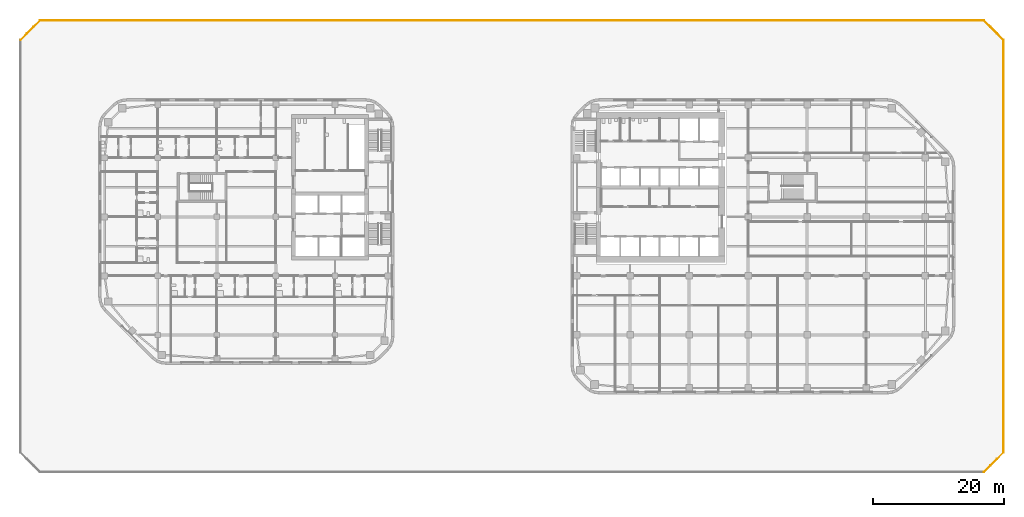
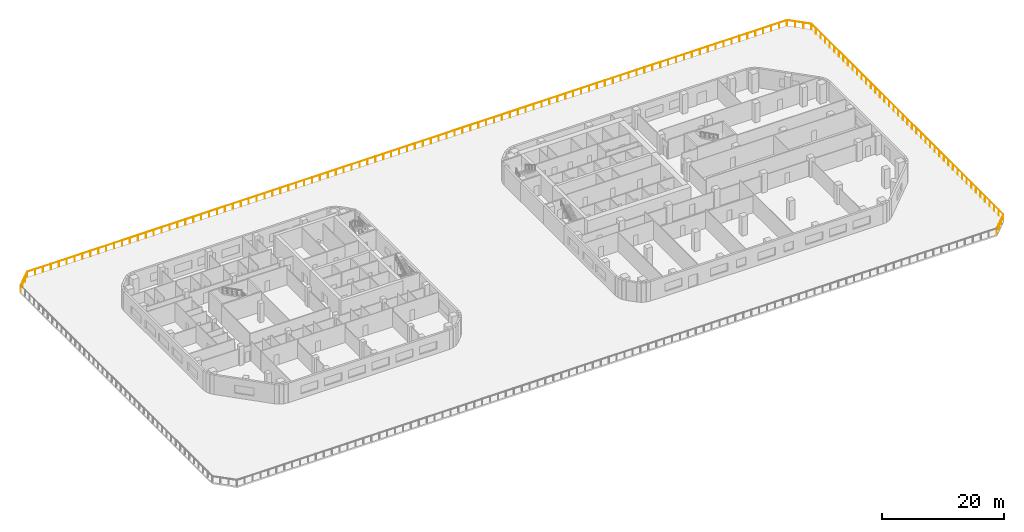
# One storey, part 17 of 18: 5 railings.
"""IFC4 building model written with IfcOpenShell, lengths in metres."""

import ifcopenshell
import ifcopenshell.guid

model = None  # the IFC model being written
_history = None  # IfcOwnerHistory: only IFC2X3 demands one
_inside = {}  # id of a spatial element -> (the spatial element, [elements in it])
_under = {}  # id of a project, library or spatial element -> (it, [spatial elements below it])
_declared = {}  # id of a project -> (the project, [libraries it declares])
_typed = {}  # id of a type object -> (the type object, [elements of that type])
_made_of = {}  # id of a material, layer set ... -> (it, [elements and type objects made of it])


def new_model(schema):
    """Start an empty IFC model of exactly this schema.

    Asked for "IFC4X3", IfcOpenShell would pick the latest addendum, in which some entities
    have other attributes; the version numbers below select the first issue.
    IFC2X3 requires an IfcOwnerHistory on every rooted entity: one is made here for all.
    """
    global model, _history
    if schema == "IFC4X3":
        model = ifcopenshell.file(schema_version=(4, 3, 0, 0))
    else:
        model = ifcopenshell.file(schema=schema)
    _inside.clear()
    _under.clear()
    _declared.clear()
    _typed.clear()
    _made_of.clear()
    _history = None
    if model.schema == "IFC2X3":
        org = make("IfcOrganization", Name="unknown")
        user = make(
            "IfcPersonAndOrganization",
            ThePerson=make("IfcPerson", FamilyName="unknown"),
            TheOrganization=org,
        )
        app = make(
            "IfcApplication",
            ApplicationDeveloper=org,
            Version="unknown",
            ApplicationFullName="unknown",
            ApplicationIdentifier="unknown",
        )
        _history = make(
            "IfcOwnerHistory",
            OwningUser=user,
            OwningApplication=app,
            ChangeAction="ADDED",
            CreationDate=0,
        )
    return model


def make(cls, **values):
    """One entity of the class cls with the attributes given. An attribute that is None is left unset."""
    return model.create_entity(
        cls, **{name: value for name, value in values.items() if value is not None}
    )


def rooted(cls, **values):
    """An entity with a GlobalId (a new one), such as an element, a storey or a relation."""
    return make(cls, GlobalId=ifcopenshell.guid.new(), OwnerHistory=_history, **values)


def si_unit(unit_type, name, prefix=None):
    """IfcSIUnit, for example si_unit("LENGTHUNIT", "METRE", prefix="MILLI")."""
    return make("IfcSIUnit", UnitType=unit_type, Prefix=prefix, Name=name)


def assignment(units):
    """IfcUnitAssignment: the units of a project."""
    return None if units is None else make("IfcUnitAssignment", Units=units)


def point(xyz):
    """IfcCartesianPoint."""
    return None if xyz is None else make("IfcCartesianPoint", Coordinates=xyz)


def direction(xyz):
    """IfcDirection."""
    return None if xyz is None else make("IfcDirection", DirectionRatios=xyz)


def frame(location, z_axis=None, x_axis=None):
    """IfcAxis2Placement3D, a coordinate frame: its origin and axes. An axis left out is left unset."""
    return make(
        "IfcAxis2Placement3D",
        Location=point(location),
        Axis=direction(z_axis),
        RefDirection=direction(x_axis),
    )


def frame_2d(location, x_axis=None):
    """IfcAxis2Placement2D, a coordinate frame in the plane: its origin and x axis."""
    return make(
        "IfcAxis2Placement2D", Location=point(location), RefDirection=direction(x_axis)
    )


def origin():
    """The frame at (0, 0, 0) with its axes left unset."""
    return frame((0.0, 0.0, 0.0))


def origin_2d():
    """The frame at (0, 0) in the plane with its x axis left unset."""
    return frame_2d((0.0, 0.0))


def place(relative_to, where):
    """IfcLocalPlacement: puts the frame where relative to a parent placement (None: the world)."""
    return make(
        "IfcLocalPlacement", PlacementRelTo=relative_to, RelativePlacement=where
    )


def context(
    kind, dimensions, precision=None, world=None, true_north=None, identifier=None
):
    """IfcGeometricRepresentationContext, for example the 3D "Model" context."""
    return make(
        "IfcGeometricRepresentationContext",
        ContextIdentifier=identifier,
        ContextType=kind,
        CoordinateSpaceDimension=dimensions,
        Precision=precision,
        WorldCoordinateSystem=world,
        TrueNorth=true_north,
    )


def subcontext(parent, identifier, kind, view, scale=None):
    """IfcGeometricRepresentationSubContext, for example "Body" below "Model"."""
    return make(
        "IfcGeometricRepresentationSubContext",
        ContextIdentifier=identifier,
        ContextType=kind,
        ParentContext=parent,
        TargetScale=scale,
        TargetView=view,
    )


def project(units=None, contexts=None):
    """IfcProject with its units and contexts."""
    return rooted(
        "IfcProject",
        Name="project",
        RepresentationContexts=contexts,
        UnitsInContext=assignment(units),
    )


def spatial(cls, under=None, at=None, **own):
    """A site, building, storey or space (cls), placed at a placement, below another one or the project."""
    s = rooted(cls, ObjectPlacement=at, **own)
    if under is not None:
        _under.setdefault(under.id(), (under, []))[1].append(s)
    return s


def profile(cls, at=None, kind="AREA", **sizes):
    """A parametric profile (cls). Its sizes go by their IFC names, for example OverallWidth=200.0."""
    return make(cls, ProfileType=kind, Position=at, **sizes)


def circle(**sizes):
    """IfcCircleProfileDef."""
    return profile("IfcCircleProfileDef", **sizes)


def extrude(swept, where, along, depth):
    """IfcExtrudedAreaSolid: the profile swept, set in the frame where, extruded along a direction by depth."""
    return make(
        "IfcExtrudedAreaSolid",
        SweptArea=swept,
        Position=where,
        ExtrudedDirection=direction(along),
        Depth=depth,
    )


def shape(context_of_items, identifier, shape_type, items):
    """IfcShapeRepresentation: the items that make up one representation, for example the "Body"."""
    return make(
        "IfcShapeRepresentation",
        ContextOfItems=context_of_items,
        RepresentationIdentifier=identifier,
        RepresentationType=shape_type,
        Items=items,
    )


def material(Name=None, Category=None):
    """IfcMaterial."""
    return make("IfcMaterial", Name=Name, Category=Category)


def made_of(thing, what):
    """Note that an element or type object is made of a material, layer set ...; save() writes the relation."""
    if what is not None:
        _made_of.setdefault(what.id(), (what, []))[1].append(thing)
    return thing


def type_object(cls, material=None, **own):
    """A type object (cls), such as IfcWallType, which elements share."""
    return made_of(rooted(cls, **own), material)


def element(
    cls,
    number,
    at=None,
    inside=None,
    cuts=None,
    type_object=None,
    material=None,
    context=None,
    identifier="Body",
    shape_type=None,
    held_by="IfcProductDefinitionShape",
    body=None,
    shapes=None,
    **own,
):
    """One element of the class cls, such as IfcWall. Its Tag is "e" and its number.

    at: its placement. inside: the storey or other place that contains it. cuts: it is an
    opening in that element (IfcRelVoidsElement). A single representation is given by context,
    identifier, shape_type and body (its items); several are given by shapes. held_by: the class
    of the entity that holds the representations. save() writes the other relations.
    """
    e = rooted(cls, Tag="e%d" % number, ObjectPlacement=at, **own)
    if body is not None:
        shapes = [shape(context, identifier, shape_type, body)]
    if shapes is not None:
        e.Representation = make(held_by, Representations=shapes)
    if inside is not None:
        _inside.setdefault(inside.id(), (inside, []))[1].append(e)
    if cuts is not None:
        rooted(
            "IfcRelVoidsElement", RelatingBuildingElement=cuts, RelatedOpeningElement=e
        )
    if type_object is not None:
        _typed.setdefault(type_object.id(), (type_object, []))[1].append(e)
    return made_of(e, material)


def aggregate(whole, parts):
    """IfcRelAggregates: a whole, such as a stair, and the parts it consists of."""
    return rooted("IfcRelAggregates", RelatingObject=whole, RelatedObjects=parts)


def save(model, path):
    """Write the relations noted so far, then the file.

    IfcRelAggregates (storeys below a building ...), IfcRelContainedInSpatialStructure (elements
    in a storey), IfcRelDefinesByType, IfcRelAssociatesMaterial and IfcRelDeclares: one each for
    every whole, place, type object, material and project.
    """
    for whole, parts in _under.values():
        aggregate(whole, parts)
    for where, things in _inside.values():
        rooted(
            "IfcRelContainedInSpatialStructure",
            RelatedElements=things,
            RelatingStructure=where,
        )
    for kind, things in _typed.values():
        rooted("IfcRelDefinesByType", RelatedObjects=things, RelatingType=kind)
    for what, things in _made_of.values():
        rooted("IfcRelAssociatesMaterial", RelatedObjects=things, RelatingMaterial=what)
    for by, libraries in _declared.values():
        rooted("IfcRelDeclares", RelatingContext=by, RelatedDefinitions=libraries)
    model.write(path)


model = new_model("IFC4")

# Units and contexts
model_context = context("Model", 3, precision=1e-05, world=origin(), true_north=direction((0.0, 1.0)))
body_context = subcontext(model_context, "Body", "Model", "MODEL_VIEW")
ifc_project = project(units=[si_unit("LENGTHUNIT", "METRE"), si_unit("AREAUNIT", "SQUARE_METRE"), si_unit("VOLUMEUNIT", "CUBIC_METRE"), si_unit("PLANEANGLEUNIT", "RADIAN"), si_unit("MASSUNIT", "GRAM", prefix="KILO")], contexts=[model_context])

# Site, building, storey
site_placement = place(None, origin())
site = spatial("IfcSite", under=ifc_project, at=site_placement, CompositionType="ELEMENT")
building_placement = place(site_placement, origin())
building = spatial("IfcBuilding", under=site, at=building_placement, Name="Cinnabar Reach Civic Tower", CompositionType="ELEMENT")
storey_placement = place(building_placement, frame((0.0, 0.0, 26.0)))
storey = spatial("IfcBuildingStorey", under=building, at=storey_placement, Name="L05", CompositionType="ELEMENT", Elevation=26.0)

# Railings
ifc_material = material(Name="Stainless steel", Category="steel")
railing_type = type_object("IfcRailingType", Name="Facade terrace guard 1200", PredefinedType="GUARDRAIL", material=ifc_material)
railing_1_placement = place(storey_placement, frame((-83.9, 53.9586, 0.0)))
element("IfcRailing", 1, at=railing_1_placement, inside=storey, type_object=railing_type, Name="Terrace guard", PredefinedType="GUARDRAIL", context=body_context, shape_type="SweptSolid", body=[
    extrude(circle(Radius=0.024, at=origin_2d()), frame((0.0, 0.0, 1.176), z_axis=(0.707106781187, 0.707106781187, 0.0), x_axis=(-0.707106781187, 0.707106781187, 0.0)), (0.0, 0.0, 1.0), 4.1598),
    extrude(circle(Radius=0.021, at=origin_2d()), origin(), (0.0, 0.0, 1.0), 1.152),
    extrude(circle(Radius=0.021, at=origin_2d()), frame((0.9805, 0.9805, 0.0)), (0.0, 0.0, 1.0), 1.152),
    extrude(circle(Radius=0.021, at=origin_2d()), frame((1.9609, 1.9609, 0.0)), (0.0, 0.0, 1.0), 1.152),
    extrude(circle(Radius=0.021, at=origin_2d()), frame((2.9414, 2.9414, 0.0)), (0.0, 0.0, 1.0), 1.152),
])
railing_2_placement = place(storey_placement, frame((-80.9586, 56.9, 0.0)))
element("IfcRailing", 2, at=railing_2_placement, inside=storey, type_object=railing_type, Name="Terrace guard", PredefinedType="GUARDRAIL", context=body_context, shape_type="SweptSolid", body=[
    extrude(circle(Radius=0.024, at=origin_2d()), frame((0.0, 0.0, 1.176), z_axis=(1.0, 0.0, 0.0), x_axis=(0.0, 1.0, 0.0)), (0.0, 0.0, 1.0), 143.9172),
    extrude(circle(Radius=0.021, at=origin_2d()), origin(), (0.0, 0.0, 1.0), 1.152),
    extrude(circle(Radius=0.021, at=origin_2d()), frame((1.4991, 0.0, 0.0)), (0.0, 0.0, 1.0), 1.152),
    extrude(circle(Radius=0.021, at=origin_2d()), frame((2.9983, 0.0, 0.0)), (0.0, 0.0, 1.0), 1.152),
    extrude(circle(Radius=0.021, at=origin_2d()), frame((4.4974, 0.0, 0.0)), (0.0, 0.0, 1.0), 1.152),
    extrude(circle(Radius=0.021, at=origin_2d()), frame((5.9966, 0.0, 0.0)), (0.0, 0.0, 1.0), 1.152),
    extrude(circle(Radius=0.021, at=origin_2d()), frame((7.4957, 0.0, 0.0)), (0.0, 0.0, 1.0), 1.152),
    extrude(circle(Radius=0.021, at=origin_2d()), frame((8.9948, 0.0, 0.0)), (0.0, 0.0, 1.0), 1.152),
    extrude(circle(Radius=0.021, at=origin_2d()), frame((10.494, 0.0, 0.0)), (0.0, 0.0, 1.0), 1.152),
    extrude(circle(Radius=0.021, at=origin_2d()), frame((11.9931, 0.0, 0.0)), (0.0, 0.0, 1.0), 1.152),
    extrude(circle(Radius=0.021, at=origin_2d()), frame((13.4922, 0.0, 0.0)), (0.0, 0.0, 1.0), 1.152),
    extrude(circle(Radius=0.021, at=origin_2d()), frame((14.9914, 0.0, 0.0)), (0.0, 0.0, 1.0), 1.152),
    extrude(circle(Radius=0.021, at=origin_2d()), frame((16.4905, 0.0, 0.0)), (0.0, 0.0, 1.0), 1.152),
    extrude(circle(Radius=0.021, at=origin_2d()), frame((17.9897, 0.0, 0.0)), (0.0, 0.0, 1.0), 1.152),
    extrude(circle(Radius=0.021, at=origin_2d()), frame((19.4888, 0.0, 0.0)), (0.0, 0.0, 1.0), 1.152),
    extrude(circle(Radius=0.021, at=origin_2d()), frame((20.9879, 0.0, 0.0)), (0.0, 0.0, 1.0), 1.152),
    extrude(circle(Radius=0.021, at=origin_2d()), frame((22.4871, 0.0, 0.0)), (0.0, 0.0, 1.0), 1.152),
    extrude(circle(Radius=0.021, at=origin_2d()), frame((23.9862, 0.0, 0.0)), (0.0, 0.0, 1.0), 1.152),
    extrude(circle(Radius=0.021, at=origin_2d()), frame((25.4853, 0.0, 0.0)), (0.0, 0.0, 1.0), 1.152),
    extrude(circle(Radius=0.021, at=origin_2d()), frame((26.9845, 0.0, 0.0)), (0.0, 0.0, 1.0), 1.152),
    extrude(circle(Radius=0.021, at=origin_2d()), frame((28.4836, 0.0, 0.0)), (0.0, 0.0, 1.0), 1.152),
    extrude(circle(Radius=0.021, at=origin_2d()), frame((29.9828, 0.0, 0.0)), (0.0, 0.0, 1.0), 1.152),
    extrude(circle(Radius=0.021, at=origin_2d()), frame((31.4819, 0.0, 0.0)), (0.0, 0.0, 1.0), 1.152),
    extrude(circle(Radius=0.021, at=origin_2d()), frame((32.981, 0.0, 0.0)), (0.0, 0.0, 1.0), 1.152),
    extrude(circle(Radius=0.021, at=origin_2d()), frame((34.4802, 0.0, 0.0)), (0.0, 0.0, 1.0), 1.152),
    extrude(circle(Radius=0.021, at=origin_2d()), frame((35.9793, 0.0, 0.0)), (0.0, 0.0, 1.0), 1.152),
    extrude(circle(Radius=0.021, at=origin_2d()), frame((37.4784, 0.0, 0.0)), (0.0, 0.0, 1.0), 1.152),
    extrude(circle(Radius=0.021, at=origin_2d()), frame((38.9776, 0.0, 0.0)), (0.0, 0.0, 1.0), 1.152),
    extrude(circle(Radius=0.021, at=origin_2d()), frame((40.4767, 0.0, 0.0)), (0.0, 0.0, 1.0), 1.152),
    extrude(circle(Radius=0.021, at=origin_2d()), frame((41.9759, 0.0, 0.0)), (0.0, 0.0, 1.0), 1.152),
    extrude(circle(Radius=0.021, at=origin_2d()), frame((43.475, 0.0, 0.0)), (0.0, 0.0, 1.0), 1.152),
    extrude(circle(Radius=0.021, at=origin_2d()), frame((44.9741, 0.0, 0.0)), (0.0, 0.0, 1.0), 1.152),
    extrude(circle(Radius=0.021, at=origin_2d()), frame((46.4733, 0.0, 0.0)), (0.0, 0.0, 1.0), 1.152),
    extrude(circle(Radius=0.021, at=origin_2d()), frame((47.9724, 0.0, 0.0)), (0.0, 0.0, 1.0), 1.152),
    extrude(circle(Radius=0.021, at=origin_2d()), frame((49.4715, 0.0, 0.0)), (0.0, 0.0, 1.0), 1.152),
    extrude(circle(Radius=0.021, at=origin_2d()), frame((50.9707, 0.0, 0.0)), (0.0, 0.0, 1.0), 1.152),
    extrude(circle(Radius=0.021, at=origin_2d()), frame((52.4698, 0.0, 0.0)), (0.0, 0.0, 1.0), 1.152),
    extrude(circle(Radius=0.021, at=origin_2d()), frame((53.969, 0.0, 0.0)), (0.0, 0.0, 1.0), 1.152),
    extrude(circle(Radius=0.021, at=origin_2d()), frame((55.4681, 0.0, 0.0)), (0.0, 0.0, 1.0), 1.152),
    extrude(circle(Radius=0.021, at=origin_2d()), frame((56.9672, 0.0, 0.0)), (0.0, 0.0, 1.0), 1.152),
    extrude(circle(Radius=0.021, at=origin_2d()), frame((58.4664, 0.0, 0.0)), (0.0, 0.0, 1.0), 1.152),
    extrude(circle(Radius=0.021, at=origin_2d()), frame((59.9655, 0.0, 0.0)), (0.0, 0.0, 1.0), 1.152),
    extrude(circle(Radius=0.021, at=origin_2d()), frame((61.4646, 0.0, 0.0)), (0.0, 0.0, 1.0), 1.152),
    extrude(circle(Radius=0.021, at=origin_2d()), frame((62.9638, 0.0, 0.0)), (0.0, 0.0, 1.0), 1.152),
    extrude(circle(Radius=0.021, at=origin_2d()), frame((64.4629, 0.0, 0.0)), (0.0, 0.0, 1.0), 1.152),
    extrude(circle(Radius=0.021, at=origin_2d()), frame((65.9621, 0.0, 0.0)), (0.0, 0.0, 1.0), 1.152),
    extrude(circle(Radius=0.021, at=origin_2d()), frame((67.4612, 0.0, 0.0)), (0.0, 0.0, 1.0), 1.152),
    extrude(circle(Radius=0.021, at=origin_2d()), frame((68.9603, 0.0, 0.0)), (0.0, 0.0, 1.0), 1.152),
    extrude(circle(Radius=0.021, at=origin_2d()), frame((70.4595, 0.0, 0.0)), (0.0, 0.0, 1.0), 1.152),
    extrude(circle(Radius=0.021, at=origin_2d()), frame((71.9586, 0.0, 0.0)), (0.0, 0.0, 1.0), 1.152),
    extrude(circle(Radius=0.021, at=origin_2d()), frame((73.4577, 0.0, 0.0)), (0.0, 0.0, 1.0), 1.152),
    extrude(circle(Radius=0.021, at=origin_2d()), frame((74.9569, 0.0, 0.0)), (0.0, 0.0, 1.0), 1.152),
    extrude(circle(Radius=0.021, at=origin_2d()), frame((76.456, 0.0, 0.0)), (0.0, 0.0, 1.0), 1.152),
    extrude(circle(Radius=0.021, at=origin_2d()), frame((77.9552, 0.0, 0.0)), (0.0, 0.0, 1.0), 1.152),
    extrude(circle(Radius=0.021, at=origin_2d()), frame((79.4543, 0.0, 0.0)), (0.0, 0.0, 1.0), 1.152),
    extrude(circle(Radius=0.021, at=origin_2d()), frame((80.9534, 0.0, 0.0)), (0.0, 0.0, 1.0), 1.152),
    extrude(circle(Radius=0.021, at=origin_2d()), frame((82.4526, 0.0, 0.0)), (0.0, 0.0, 1.0), 1.152),
    extrude(circle(Radius=0.021, at=origin_2d()), frame((83.9517, 0.0, 0.0)), (0.0, 0.0, 1.0), 1.152),
    extrude(circle(Radius=0.021, at=origin_2d()), frame((85.4508, 0.0, 0.0)), (0.0, 0.0, 1.0), 1.152),
    extrude(circle(Radius=0.021, at=origin_2d()), frame((86.95, 0.0, 0.0)), (0.0, 0.0, 1.0), 1.152),
    extrude(circle(Radius=0.021, at=origin_2d()), frame((88.4491, 0.0, 0.0)), (0.0, 0.0, 1.0), 1.152),
    extrude(circle(Radius=0.021, at=origin_2d()), frame((89.9483, 0.0, 0.0)), (0.0, 0.0, 1.0), 1.152),
    extrude(circle(Radius=0.021, at=origin_2d()), frame((91.4474, 0.0, 0.0)), (0.0, 0.0, 1.0), 1.152),
    extrude(circle(Radius=0.021, at=origin_2d()), frame((92.9465, 0.0, 0.0)), (0.0, 0.0, 1.0), 1.152),
    extrude(circle(Radius=0.021, at=origin_2d()), frame((94.4457, 0.0, 0.0)), (0.0, 0.0, 1.0), 1.152),
    extrude(circle(Radius=0.021, at=origin_2d()), frame((95.9448, 0.0, 0.0)), (0.0, 0.0, 1.0), 1.152),
    extrude(circle(Radius=0.021, at=origin_2d()), frame((97.4439, 0.0, 0.0)), (0.0, 0.0, 1.0), 1.152),
    extrude(circle(Radius=0.021, at=origin_2d()), frame((98.9431, 0.0, 0.0)), (0.0, 0.0, 1.0), 1.152),
    extrude(circle(Radius=0.021, at=origin_2d()), frame((100.4422, 0.0, 0.0)), (0.0, 0.0, 1.0), 1.152),
    extrude(circle(Radius=0.021, at=origin_2d()), frame((101.9414, 0.0, 0.0)), (0.0, 0.0, 1.0), 1.152),
    extrude(circle(Radius=0.021, at=origin_2d()), frame((103.4405, 0.0, 0.0)), (0.0, 0.0, 1.0), 1.152),
    extrude(circle(Radius=0.021, at=origin_2d()), frame((104.9396, 0.0, 0.0)), (0.0, 0.0, 1.0), 1.152),
    extrude(circle(Radius=0.021, at=origin_2d()), frame((106.4388, 0.0, 0.0)), (0.0, 0.0, 1.0), 1.152),
    extrude(circle(Radius=0.021, at=origin_2d()), frame((107.9379, 0.0, 0.0)), (0.0, 0.0, 1.0), 1.152),
    extrude(circle(Radius=0.021, at=origin_2d()), frame((109.437, 0.0, 0.0)), (0.0, 0.0, 1.0), 1.152),
    extrude(circle(Radius=0.021, at=origin_2d()), frame((110.9362, 0.0, 0.0)), (0.0, 0.0, 1.0), 1.152),
    extrude(circle(Radius=0.021, at=origin_2d()), frame((112.4353, 0.0, 0.0)), (0.0, 0.0, 1.0), 1.152),
    extrude(circle(Radius=0.021, at=origin_2d()), frame((113.9344, 0.0, 0.0)), (0.0, 0.0, 1.0), 1.152),
    extrude(circle(Radius=0.021, at=origin_2d()), frame((115.4336, 0.0, 0.0)), (0.0, 0.0, 1.0), 1.152),
    extrude(circle(Radius=0.021, at=origin_2d()), frame((116.9327, 0.0, 0.0)), (0.0, 0.0, 1.0), 1.152),
    extrude(circle(Radius=0.021, at=origin_2d()), frame((118.4319, 0.0, 0.0)), (0.0, 0.0, 1.0), 1.152),
    extrude(circle(Radius=0.021, at=origin_2d()), frame((119.931, 0.0, 0.0)), (0.0, 0.0, 1.0), 1.152),
    extrude(circle(Radius=0.021, at=origin_2d()), frame((121.4301, 0.0, 0.0)), (0.0, 0.0, 1.0), 1.152),
    extrude(circle(Radius=0.021, at=origin_2d()), frame((122.9293, 0.0, 0.0)), (0.0, 0.0, 1.0), 1.152),
    extrude(circle(Radius=0.021, at=origin_2d()), frame((124.4284, 0.0, 0.0)), (0.0, 0.0, 1.0), 1.152),
    extrude(circle(Radius=0.021, at=origin_2d()), frame((125.9276, 0.0, 0.0)), (0.0, 0.0, 1.0), 1.152),
    extrude(circle(Radius=0.021, at=origin_2d()), frame((127.4267, 0.0, 0.0)), (0.0, 0.0, 1.0), 1.152),
    extrude(circle(Radius=0.021, at=origin_2d()), frame((128.9258, 0.0, 0.0)), (0.0, 0.0, 1.0), 1.152),
    extrude(circle(Radius=0.021, at=origin_2d()), frame((130.425, 0.0, 0.0)), (0.0, 0.0, 1.0), 1.152),
    extrude(circle(Radius=0.021, at=origin_2d()), frame((131.9241, 0.0, 0.0)), (0.0, 0.0, 1.0), 1.152),
    extrude(circle(Radius=0.021, at=origin_2d()), frame((133.4232, 0.0, 0.0)), (0.0, 0.0, 1.0), 1.152),
    extrude(circle(Radius=0.021, at=origin_2d()), frame((134.9224, 0.0, 0.0)), (0.0, 0.0, 1.0), 1.152),
    extrude(circle(Radius=0.021, at=origin_2d()), frame((136.4215, 0.0, 0.0)), (0.0, 0.0, 1.0), 1.152),
    extrude(circle(Radius=0.021, at=origin_2d()), frame((137.9207, 0.0, 0.0)), (0.0, 0.0, 1.0), 1.152),
    extrude(circle(Radius=0.021, at=origin_2d()), frame((139.4198, 0.0, 0.0)), (0.0, 0.0, 1.0), 1.152),
    extrude(circle(Radius=0.021, at=origin_2d()), frame((140.9189, 0.0, 0.0)), (0.0, 0.0, 1.0), 1.152),
    extrude(circle(Radius=0.021, at=origin_2d()), frame((142.4181, 0.0, 0.0)), (0.0, 0.0, 1.0), 1.152),
    extrude(circle(Radius=0.021, at=origin_2d()), frame((143.9172, 0.0, 0.0)), (0.0, 0.0, 1.0), 1.152),
])
railing_3_placement = place(storey_placement, frame((62.9586, 56.9, 0.0)))
element("IfcRailing", 3, at=railing_3_placement, inside=storey, type_object=railing_type, Name="Terrace guard", PredefinedType="GUARDRAIL", context=body_context, shape_type="SweptSolid", body=[
    extrude(circle(Radius=0.024, at=origin_2d()), frame((0.0, 0.0, 1.176), z_axis=(0.707106781187, -0.707106781187, 0.0), x_axis=(0.707106781187, 0.707106781187, 0.0)), (0.0, 0.0, 1.0), 4.1598),
    extrude(circle(Radius=0.021, at=origin_2d()), origin(), (0.0, 0.0, 1.0), 1.152),
    extrude(circle(Radius=0.021, at=origin_2d()), frame((0.9805, -0.9805, 0.0)), (0.0, 0.0, 1.0), 1.152),
    extrude(circle(Radius=0.021, at=origin_2d()), frame((1.9609, -1.9609, 0.0)), (0.0, 0.0, 1.0), 1.152),
    extrude(circle(Radius=0.021, at=origin_2d()), frame((2.9414, -2.9414, 0.0)), (0.0, 0.0, 1.0), 1.152),
])
railing_4_placement = place(storey_placement, frame((65.9, 53.9586, 0.0)))
element("IfcRailing", 4, at=railing_4_placement, inside=storey, type_object=railing_type, Name="Terrace guard", PredefinedType="GUARDRAIL", context=body_context, shape_type="SweptSolid", body=[
    extrude(circle(Radius=0.024, at=origin_2d()), frame((0.0, 0.0, 1.176), z_axis=(0.0, -1.0, 0.0), x_axis=(1.0, 0.0, 0.0)), (0.0, 0.0, 1.0), 62.9172),
    extrude(circle(Radius=0.021, at=origin_2d()), origin(), (0.0, 0.0, 1.0), 1.152),
    extrude(circle(Radius=0.021, at=origin_2d()), frame((0.0, -1.498, 0.0)), (0.0, 0.0, 1.0), 1.152),
    extrude(circle(Radius=0.021, at=origin_2d()), frame((0.0, -2.9961, 0.0)), (0.0, 0.0, 1.0), 1.152),
    extrude(circle(Radius=0.021, at=origin_2d()), frame((0.0, -4.4941, 0.0)), (0.0, 0.0, 1.0), 1.152),
    extrude(circle(Radius=0.021, at=origin_2d()), frame((0.0, -5.9921, 0.0)), (0.0, 0.0, 1.0), 1.152),
    extrude(circle(Radius=0.021, at=origin_2d()), frame((0.0, -7.4901, 0.0)), (0.0, 0.0, 1.0), 1.152),
    extrude(circle(Radius=0.021, at=origin_2d()), frame((0.0, -8.9882, 0.0)), (0.0, 0.0, 1.0), 1.152),
    extrude(circle(Radius=0.021, at=origin_2d()), frame((0.0, -10.4862, 0.0)), (0.0, 0.0, 1.0), 1.152),
    extrude(circle(Radius=0.021, at=origin_2d()), frame((0.0, -11.9842, 0.0)), (0.0, 0.0, 1.0), 1.152),
    extrude(circle(Radius=0.021, at=origin_2d()), frame((0.0, -13.4823, 0.0)), (0.0, 0.0, 1.0), 1.152),
    extrude(circle(Radius=0.021, at=origin_2d()), frame((0.0, -14.9803, 0.0)), (0.0, 0.0, 1.0), 1.152),
    extrude(circle(Radius=0.021, at=origin_2d()), frame((0.0, -16.4783, 0.0)), (0.0, 0.0, 1.0), 1.152),
    extrude(circle(Radius=0.021, at=origin_2d()), frame((0.0, -17.9763, 0.0)), (0.0, 0.0, 1.0), 1.152),
    extrude(circle(Radius=0.021, at=origin_2d()), frame((0.0, -19.4744, 0.0)), (0.0, 0.0, 1.0), 1.152),
    extrude(circle(Radius=0.021, at=origin_2d()), frame((0.0, -20.9724, 0.0)), (0.0, 0.0, 1.0), 1.152),
    extrude(circle(Radius=0.021, at=origin_2d()), frame((0.0, -22.4704, 0.0)), (0.0, 0.0, 1.0), 1.152),
    extrude(circle(Radius=0.021, at=origin_2d()), frame((0.0, -23.9685, 0.0)), (0.0, 0.0, 1.0), 1.152),
    extrude(circle(Radius=0.021, at=origin_2d()), frame((0.0, -25.4665, 0.0)), (0.0, 0.0, 1.0), 1.152),
    extrude(circle(Radius=0.021, at=origin_2d()), frame((0.0, -26.9645, 0.0)), (0.0, 0.0, 1.0), 1.152),
    extrude(circle(Radius=0.021, at=origin_2d()), frame((0.0, -28.4625, 0.0)), (0.0, 0.0, 1.0), 1.152),
    extrude(circle(Radius=0.021, at=origin_2d()), frame((0.0, -29.9606, 0.0)), (0.0, 0.0, 1.0), 1.152),
    extrude(circle(Radius=0.021, at=origin_2d()), frame((0.0, -31.4586, 0.0)), (0.0, 0.0, 1.0), 1.152),
    extrude(circle(Radius=0.021, at=origin_2d()), frame((0.0, -32.9566, 0.0)), (0.0, 0.0, 1.0), 1.152),
    extrude(circle(Radius=0.021, at=origin_2d()), frame((0.0, -34.4547, 0.0)), (0.0, 0.0, 1.0), 1.152),
    extrude(circle(Radius=0.021, at=origin_2d()), frame((0.0, -35.9527, 0.0)), (0.0, 0.0, 1.0), 1.152),
    extrude(circle(Radius=0.021, at=origin_2d()), frame((0.0, -37.4507, 0.0)), (0.0, 0.0, 1.0), 1.152),
    extrude(circle(Radius=0.021, at=origin_2d()), frame((0.0, -38.9487, 0.0)), (0.0, 0.0, 1.0), 1.152),
    extrude(circle(Radius=0.021, at=origin_2d()), frame((0.0, -40.4468, 0.0)), (0.0, 0.0, 1.0), 1.152),
    extrude(circle(Radius=0.021, at=origin_2d()), frame((0.0, -41.9448, 0.0)), (0.0, 0.0, 1.0), 1.152),
    extrude(circle(Radius=0.021, at=origin_2d()), frame((0.0, -43.4428, 0.0)), (0.0, 0.0, 1.0), 1.152),
    extrude(circle(Radius=0.021, at=origin_2d()), frame((0.0, -44.9409, 0.0)), (0.0, 0.0, 1.0), 1.152),
    extrude(circle(Radius=0.021, at=origin_2d()), frame((0.0, -46.4389, 0.0)), (0.0, 0.0, 1.0), 1.152),
    extrude(circle(Radius=0.021, at=origin_2d()), frame((0.0, -47.9369, 0.0)), (0.0, 0.0, 1.0), 1.152),
    extrude(circle(Radius=0.021, at=origin_2d()), frame((0.0, -49.4349, 0.0)), (0.0, 0.0, 1.0), 1.152),
    extrude(circle(Radius=0.021, at=origin_2d()), frame((0.0, -50.933, 0.0)), (0.0, 0.0, 1.0), 1.152),
    extrude(circle(Radius=0.021, at=origin_2d()), frame((0.0, -52.431, 0.0)), (0.0, 0.0, 1.0), 1.152),
    extrude(circle(Radius=0.021, at=origin_2d()), frame((0.0, -53.929, 0.0)), (0.0, 0.0, 1.0), 1.152),
    extrude(circle(Radius=0.021, at=origin_2d()), frame((0.0, -55.4271, 0.0)), (0.0, 0.0, 1.0), 1.152),
    extrude(circle(Radius=0.021, at=origin_2d()), frame((0.0, -56.9251, 0.0)), (0.0, 0.0, 1.0), 1.152),
    extrude(circle(Radius=0.021, at=origin_2d()), frame((0.0, -58.4231, 0.0)), (0.0, 0.0, 1.0), 1.152),
    extrude(circle(Radius=0.021, at=origin_2d()), frame((0.0, -59.9211, 0.0)), (0.0, 0.0, 1.0), 1.152),
    extrude(circle(Radius=0.021, at=origin_2d()), frame((0.0, -61.4192, 0.0)), (0.0, 0.0, 1.0), 1.152),
    extrude(circle(Radius=0.021, at=origin_2d()), frame((0.0, -62.9172, 0.0)), (0.0, 0.0, 1.0), 1.152),
])
railing_5_placement = place(storey_placement, frame((65.9, -8.9586, 0.0)))
element("IfcRailing", 5, at=railing_5_placement, inside=storey, type_object=railing_type, Name="Terrace guard", PredefinedType="GUARDRAIL", context=body_context, shape_type="SweptSolid", body=[
    extrude(circle(Radius=0.024, at=origin_2d()), frame((0.0, 0.0, 1.176), z_axis=(-0.707106781187, -0.707106781187, 0.0), x_axis=(0.707106781187, -0.707106781187, 0.0)), (0.0, 0.0, 1.0), 4.1598),
    extrude(circle(Radius=0.021, at=origin_2d()), origin(), (0.0, 0.0, 1.0), 1.152),
    extrude(circle(Radius=0.021, at=origin_2d()), frame((-0.9805, -0.9805, 0.0)), (0.0, 0.0, 1.0), 1.152),
    extrude(circle(Radius=0.021, at=origin_2d()), frame((-1.9609, -1.9609, 0.0)), (0.0, 0.0, 1.0), 1.152),
    extrude(circle(Radius=0.021, at=origin_2d()), frame((-2.9414, -2.9414, 0.0)), (0.0, 0.0, 1.0), 1.152),
])

save(model, "model.ifc")
